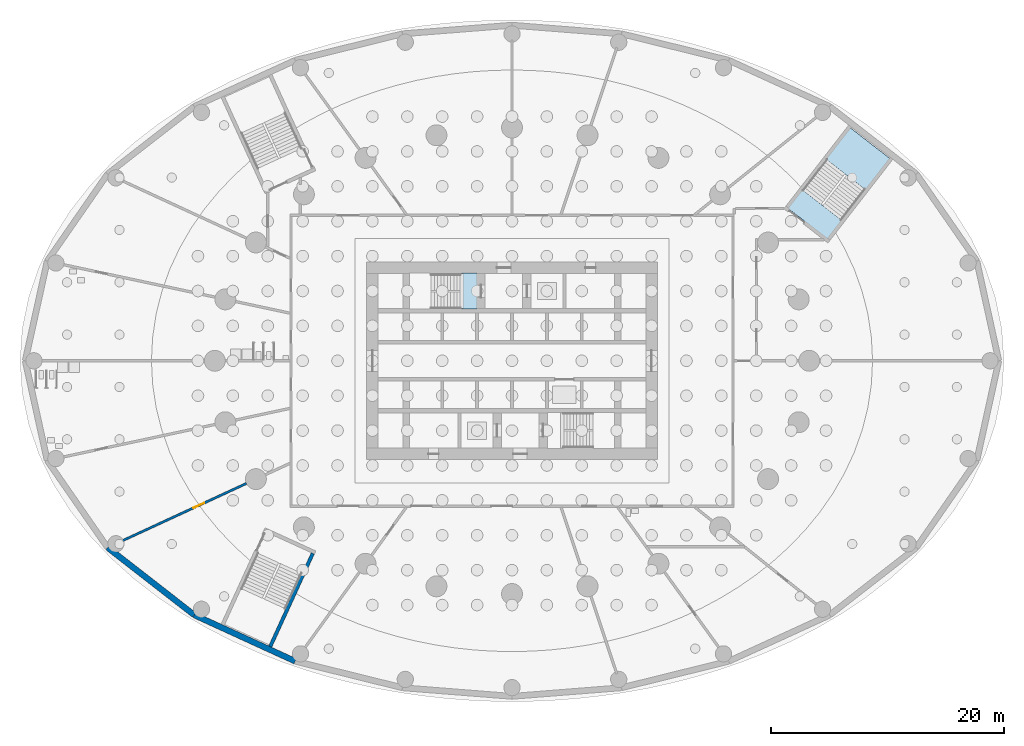
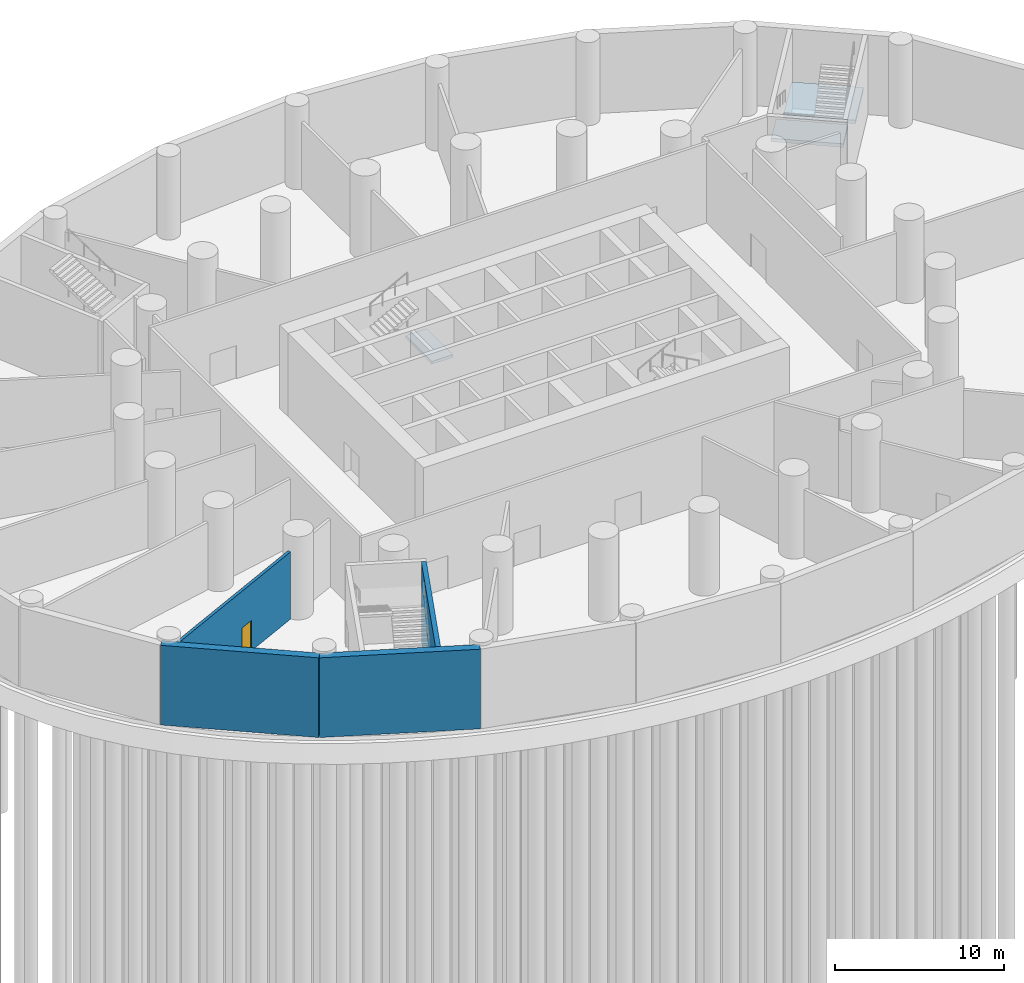
# One storey, part 3 of 12: 4 walls, 3 slabs, 1 door, 1 opening, 2 elements without a shape of their own.
"""IFC4 building model written with IfcOpenShell, lengths in metres."""

from ifc_helpers import new_model, si_unit, direction, frame, frame_2d, origin, place, context, subcontext, project, spatial, polyline, rectangle, outline, extrude, material, layer, layer_set, type_object, element, fill, aggregate, save


model = new_model("IFC4")

# Units and contexts
model_context = context("Model", 3, precision=1e-05, world=origin(), true_north=direction((0.0, 1.0)))
body_context = subcontext(model_context, "Body", "Model", "MODEL_VIEW")
ifc_project = project(units=[si_unit("LENGTHUNIT", "METRE"), si_unit("AREAUNIT", "SQUARE_METRE"), si_unit("VOLUMEUNIT", "CUBIC_METRE"), si_unit("PLANEANGLEUNIT", "RADIAN"), si_unit("MASSUNIT", "GRAM", prefix="KILO")], contexts=[model_context])

# Site, building, storey
site_placement = place(None, origin())
site = spatial("IfcSite", under=ifc_project, at=site_placement, CompositionType="ELEMENT")
building_placement = place(site_placement, origin())
building = spatial("IfcBuilding", under=site, at=building_placement, Name="Hankou Lantern Tower", CompositionType="ELEMENT")
storey_placement = place(building_placement, frame((0.0, 0.0, -6.0)))
storey = spatial("IfcBuildingStorey", under=building, at=storey_placement, Name="B1", CompositionType="ELEMENT", Elevation=-6.0)

# Stair, slab
ifc_material_1 = material(Name="Concrete C40", Category="concrete")
stair_type_1 = type_object("IfcStairType", Name="ST60 CORE STAIR 6000 RISE", PredefinedType="HALF_TURN_STAIR", material=ifc_material_1)
stair_1_placement = place(storey_placement, origin())
stair_1 = element("IfcStair", 1, at=stair_1_placement, inside=storey, type_object=stair_type_1, Name="Stair STA B1", PredefinedType="HALF_TURN_STAIR")
ifc_material_2 = material(Name="Concrete C40", Category="concrete")
ifc_layer_1 = layer(ifc_material_2, 0.199951171875)
ifc_layer_set_1 = layer_set([ifc_layer_1], Name="Concrete C40")
slab_type_1 = type_object("IfcSlabType", Name="SL1 STAIR LANDING 200", PredefinedType="LANDING", material=ifc_layer_set_1)
slab_1_placement = place(storey_placement, frame((0.0, 0.0, 2.800048828125)))
slab_1 = element("IfcSlab", 2, at=slab_1_placement, type_object=slab_type_1, Name="STA landing 2", PredefinedType="LANDING", context=body_context, shape_type="SweptSolid", body=[
    extrude(outline(polyline([(-4.449951171875, 4.449951171875), (-3.0, 4.449951171875), (-3.0, 7.550048828125), (-4.449951171875, 7.550048828125), (-4.449951171875, 4.449951171875)])), origin(), (0.0, 0.0, 1.0), 0.199951171875),
])
aggregate(stair_1, [slab_1])

# Stair, slabs
ifc_material_3 = material(Name="Concrete C40", Category="concrete")
stair_type_2 = type_object("IfcStairType", Name="PS60 PODIUM STAIR 6000 RISE", PredefinedType="HALF_TURN_STAIR", material=ifc_material_3)
stair_2_placement = place(storey_placement, origin())
stair_2 = element("IfcStair", 3, at=stair_2_placement, inside=storey, type_object=stair_type_2, Name="Stair BS1 B1", PredefinedType="HALF_TURN_STAIR")
ifc_material_4 = material(Name="Concrete C40", Category="concrete")
ifc_layer_2 = layer(ifc_material_4, 0.25)
ifc_layer_set_2 = layer_set([ifc_layer_2], Name="Concrete C40")
slab_type_2 = type_object("IfcSlabType", Name="SL2 PODIUM STAIR LANDING 250", PredefinedType="LANDING", material=ifc_layer_set_2)
slab_2_placement = place(storey_placement, frame((0.0, 0.0, 1.75)))
slab_2 = element("IfcSlab", 4, at=slab_2_placement, type_object=slab_type_2, Name="BS1 landing 1", PredefinedType="LANDING", context=body_context, shape_type="SweptSolid", body=[
    extrude(outline(polyline([(32.48681640625, 17.39892578125), (29.08935546875, 20.034423828125), (26.992919921875, 17.332275390625), (30.390625, 14.696533203125), (32.48681640625, 17.39892578125)])), origin(), (0.0, 0.0, 1.0), 0.25),
])
slab_3_placement = place(storey_placement, frame((0.0, 0.0, 3.75)))
slab_3 = element("IfcSlab", 5, at=slab_3_placement, type_object=slab_type_2, Name="BS1 landing 2", PredefinedType="LANDING", context=body_context, shape_type="SweptSolid", body=[
    extrude(outline(polyline([(28.355712890625, 12.073486328125), (24.9580078125, 14.708984375), (23.719970703125, 13.113037109375), (27.117431640625, 10.477294921875), (28.355712890625, 12.073486328125)])), origin(), (0.0, 0.0, 1.0), 0.25),
])
aggregate(stair_2, [slab_2, slab_3])

# Wall
ifc_material_5 = material(Name="Concrete C50", Category="concrete")
ifc_layer_3 = layer(ifc_material_5, 0.300048828125)
ifc_layer_set_3 = layer_set([ifc_layer_3], Name="Concrete C50")
wall_type_1 = type_object("IfcWallType", Name="CW7 PODIUM STAIR WALL 300", PredefinedType="SHEAR", material=ifc_layer_set_3)
wall_1_placement = place(storey_placement, frame((-20.78466796875, -24.57373046875, 0.0), z_axis=(0.0, 0.0, 1.0), x_axis=(0.41534319891, 0.909664788325, 0.0)))
element("IfcWall", 6, at=wall_1_placement, inside=storey, type_object=wall_type_1, Name="Basement stair BS3 wall", PredefinedType="SHEAR", context=body_context, shape_type="SweptSolid", body=[
    extrude(rectangle(XDim=8.81005859375, YDim=0.300048828125, at=frame_2d((4.405029296875, 0.0))), origin(), (0.0, 0.0, 1.0), 5.75),
])

# Wall, opening, door
ifc_material_6 = material(Name="Masonry dense concrete block", Category="masonry")
ifc_layer_4 = layer(ifc_material_6, 0.199951171875)
ifc_layer_set_4 = layer_set([ifc_layer_4], Name="Masonry dense concrete block")
wall_type_2 = type_object("IfcWallType", Name="IW9 2 H FIRE PARTITION 200", PredefinedType="PARTITIONING", material=ifc_layer_set_4)
wall_2_placement = place(storey_placement, frame((-22.836181640625, -10.547607421875, 0.0), z_axis=(0.0, 0.0, 1.0), x_axis=(-0.90784065247, -0.419315334471, 0.0)))
wall_2 = element("IfcWall", 7, at=wall_2_placement, inside=storey, type_object=wall_type_2, Name="Partition R15", PredefinedType="PARTITIONING", context=body_context, shape_type="SweptSolid", body=[
    extrude(rectangle(XDim=11.859619140625, YDim=0.199951171875, at=frame_2d((5.9296875, 0.0))), origin(), (0.0, 0.0, 1.0), 4.85009765625),
])
opening_placement = place(wall_2_placement, frame((4.0, 0.0, 0.0)))
opening = element("IfcOpeningElement", 8, at=opening_placement, cuts=wall_2, Name="Opening D28", PredefinedType="OPENING", context=body_context, shape_type="SweptSolid", body=[
    extrude(rectangle(XDim=1.0, YDim=2.199951171875, at=frame_2d((0.5, 1.10009765625))), frame((0.0, 0.10986328125, 0.0), z_axis=(0.0, -1.0, 0.0), x_axis=(1.0, 0.0, 0.0)), (0.0, 0.0, 1.0), 0.219970703125),
])
ifc_material_7 = material(Name="Steel door leaf", Category="steel")
door_type = type_object("IfcDoorType", Name="D28 SERVICE DOOR 1000X2200", OperationType="SINGLE_SWING_LEFT", PredefinedType="DOOR", material=ifc_material_7)
door_placement = place(opening_placement, origin())
door = element("IfcDoor", 9, at=door_placement, inside=storey, type_object=door_type, Name="Female staff locker room door to dining room", OperationType="SINGLE_SWING_RIGHT", OverallHeight=2.199951171875, OverallWidth=1.0, PredefinedType="DOOR", context=body_context, shape_type="SweptSolid", body=[
    extrude(rectangle(XDim=1.0, YDim=2.199951171875, at=frame_2d((0.5, 1.10009765625))), frame((0.0, 0.02490234375, 0.0), z_axis=(0.0, -1.0, 0.0), x_axis=(1.0, 0.0, 0.0)), (0.0, 0.0, 1.0), 0.050048828125),
])
fill(opening, door)

# Walls
ifc_material_8 = material(Name="Concrete C40", Category="concrete")
ifc_layer_5 = layer(ifc_material_8, 0.5)
ifc_layer_set_5 = layer_set([ifc_layer_5], Name="Concrete C40")
wall_type_3 = type_object("IfcWallType", Name="RW1 BASEMENT RETAINING WALL 500", PredefinedType="SOLIDWALL", material=ifc_layer_set_5)
wall_3_placement = place(storey_placement, frame((-34.767578125, -16.05859375, 0.0), z_axis=(0.0, 0.0, 1.0), x_axis=(0.789189230142, -0.614150111152, 0.0)))
element("IfcWall", 10, at=wall_3_placement, inside=storey, type_object=wall_type_3, Name="Basement retaining wall R15", PredefinedType="SOLIDWALL", context=body_context, shape_type="SweptSolid", body=[
    extrude(rectangle(XDim=9.4384765625, YDim=0.5, at=frame_2d((4.71923828125, 0.0))), origin(), (0.0, 0.0, 1.0), 5.75),
])
wall_4_placement = place(storey_placement, frame((-27.31884765625, -21.855224609375, 0.0), z_axis=(0.0, 0.0, 1.0), x_axis=(0.909171365198, -0.416422176047, 0.0)))
element("IfcWall", 11, at=wall_4_placement, inside=storey, type_object=wall_type_3, Name="Basement retaining wall R16", PredefinedType="SOLIDWALL", context=body_context, shape_type="SweptSolid", body=[
    extrude(rectangle(XDim=9.544677734375, YDim=0.5, at=frame_2d((4.7724609375, 0.0))), origin(), (0.0, 0.0, 1.0), 5.75),
])

save(model, "model.ifc")
